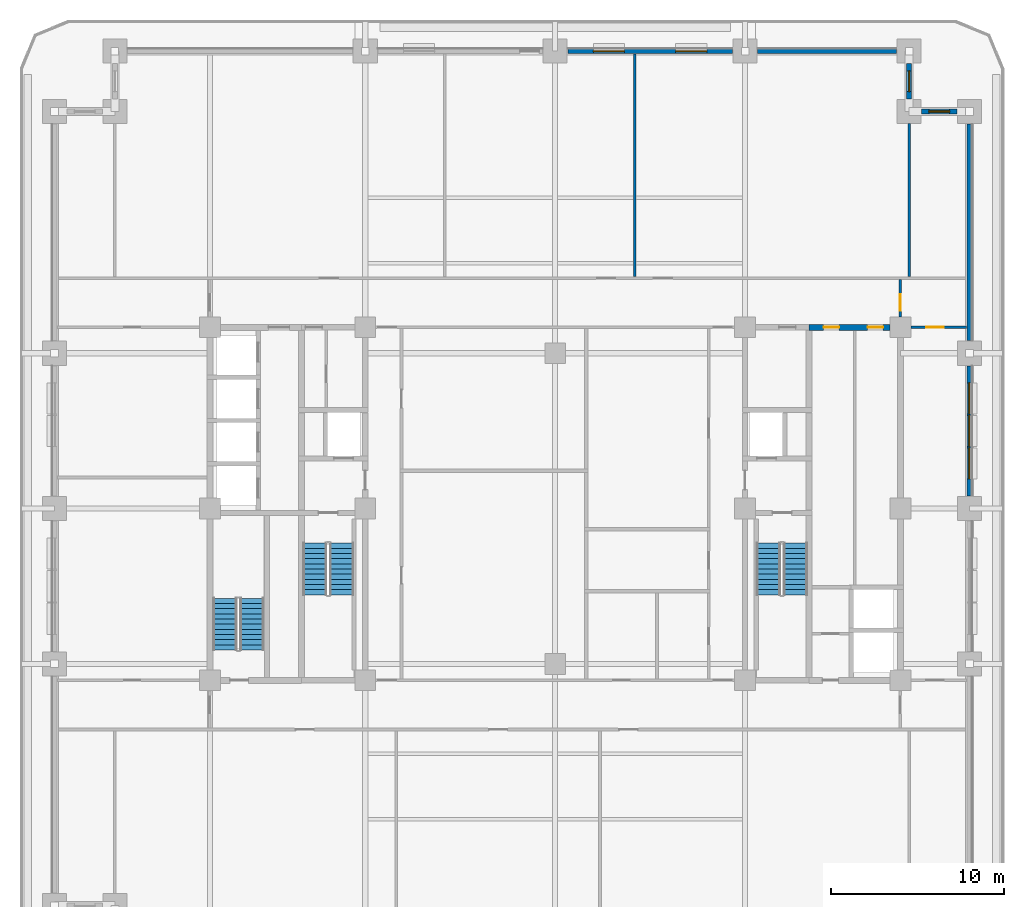
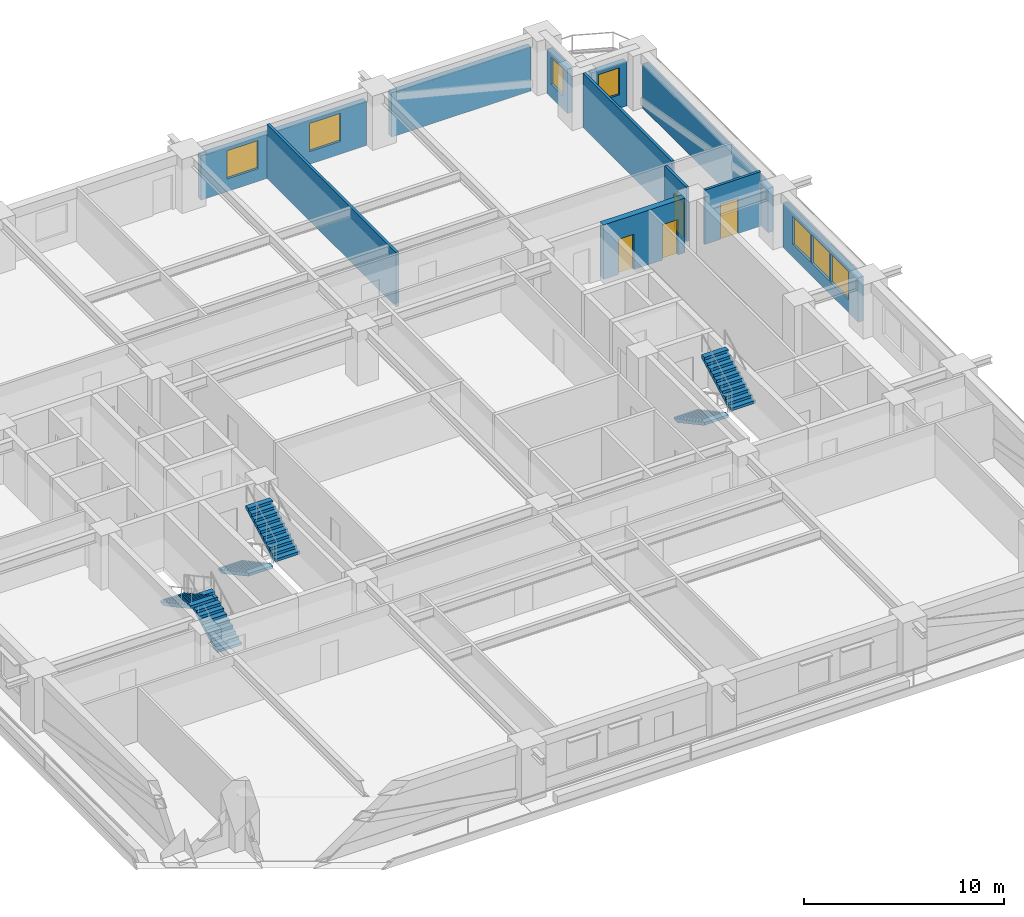
# One storey, part 6 of 14: 11 walls, 7 windows, 6 stair flights, 4 doors, 11 openings, 3 elements without a shape of their own.
"""IFC4 building model written with IfcOpenShell, lengths in metres."""

from ifc_helpers import new_model, si_unit, direction, frame, frame_2d, origin, place, context, subcontext, project, spatial, polyline, rectangle, outline, extrude, material, layer, layer_set, type_object, element, fill, aggregate, save


model = new_model("IFC4")

# Units and contexts
model_context = context("Model", 3, precision=1e-05, world=origin(), true_north=direction((0.0, 1.0)))
body_context = subcontext(model_context, "Body", "Model", "MODEL_VIEW")
ifc_project = project(units=[si_unit("LENGTHUNIT", "METRE"), si_unit("AREAUNIT", "SQUARE_METRE"), si_unit("VOLUMEUNIT", "CUBIC_METRE"), si_unit("PLANEANGLEUNIT", "RADIAN"), si_unit("MASSUNIT", "GRAM", prefix="KILO")], contexts=[model_context])

# Site, building, storey
site_placement = place(None, origin())
site = spatial("IfcSite", under=ifc_project, at=site_placement, CompositionType="ELEMENT")
building_placement = place(site_placement, origin())
building = spatial("IfcBuilding", under=site, at=building_placement, Name="Zulmaris Gate Convention Tower", CompositionType="ELEMENT")
storey_placement = place(building_placement, frame((0.0, 0.0, 64.329833984375)))
storey = spatial("IfcBuildingStorey", under=building, at=storey_placement, Name="L15", CompositionType="ELEMENT", Elevation=64.329833984375)

# Wall, openings, doors
ifc_material_1 = material(Name="Concrete C55/67", Category="concrete")
ifc_layer_1 = layer(ifc_material_1, 0.35009765625, Name="Concrete C55/67")
ifc_layer_set_1 = layer_set([ifc_layer_1], Name="Concrete C55/67")
wall_type_1 = type_object("IfcWallType", Name="CORE-350", PredefinedType="SHEAR", material=ifc_layer_set_1)
wall_1_placement = place(storey_placement, frame((14.699951171875, 10.5, 0.0), z_axis=(0.0, 0.0, 1.0), x_axis=(1.0, 0.0, 0.0)))
wall_1 = element("IfcWall", 1, at=wall_1_placement, inside=storey, type_object=wall_type_1, Name="WL-L15-019", PredefinedType="SHEAR", context=body_context, shape_type="SweptSolid", body=[
    extrude(rectangle(XDim=4.696044921875, YDim=0.35009765625, at=frame_2d((2.34814453125, 0.0))), origin(), (0.0, 0.0, 1.0), 3.320068359375),
])
opening_1_placement = place(wall_1_placement, frame((0.85009765625, 0.0, 0.0)))
opening_1 = element("IfcOpeningElement", 2, at=opening_1_placement, cuts=wall_1, Name="Opening D-12", PredefinedType="OPENING", context=body_context, shape_type="SweptSolid", body=[
    extrude(rectangle(XDim=0.89990234375, YDim=2.14990234375, at=frame_2d((0.449951171875, 1.074951171875))), frame((0.0, 0.18505859375, 0.0), z_axis=(0.0, -1.0, 0.0), x_axis=(1.0, 0.0, 0.0)), (0.0, 0.0, 1.0), 0.3701171875),
])
opening_2_placement = place(wall_1_placement, frame((3.39990234375, 0.0, 0.0)))
opening_2 = element("IfcOpeningElement", 3, at=opening_2_placement, cuts=wall_1, Name="Opening D-12", PredefinedType="OPENING", context=body_context, shape_type="SweptSolid", body=[
    extrude(rectangle(XDim=0.89990234375, YDim=2.14990234375, at=frame_2d((0.449951171875, 1.074951171875))), frame((0.0, 0.18505859375, 0.0), z_axis=(0.0, -1.0, 0.0), x_axis=(1.0, 0.0, 0.0)), (0.0, 0.0, 1.0), 0.3701171875),
])
ifc_material_2 = material(Name="Fire-Rated Timber", Category="wood")
door_type_1 = type_object("IfcDoorType", Name="DR-900-FD", OperationType="NOTDEFINED", PredefinedType="DOOR", material=ifc_material_2)
door_1_placement = place(opening_1_placement, origin())
door_1 = element("IfcDoor", 4, at=door_1_placement, inside=storey, type_object=door_type_1, Name="L15 East IT Room Door 18", OperationType="SINGLE_SWING_RIGHT", OverallHeight=2.14990234375, OverallWidth=0.89990234375, PredefinedType="DOOR", context=body_context, shape_type="SweptSolid", body=[
    extrude(rectangle(XDim=0.89990234375, YDim=2.14990234375, at=frame_2d((0.449951171875, 1.074951171875))), frame((0.0, 0.02490234375, 0.0), z_axis=(0.0, -1.0, 0.0), x_axis=(1.0, 0.0, 0.0)), (0.0, 0.0, 1.0), 0.050048828125),
])
fill(opening_1, door_1)
door_2_placement = place(opening_2_placement, origin())
door_2 = element("IfcDoor", 5, at=door_2_placement, inside=storey, type_object=door_type_1, Name="L15 East Linen Store Door 19", OperationType="SINGLE_SWING_LEFT", OverallHeight=2.14990234375, OverallWidth=0.89990234375, PredefinedType="DOOR", context=body_context, shape_type="SweptSolid", body=[
    extrude(rectangle(XDim=0.89990234375, YDim=2.14990234375, at=frame_2d((0.449951171875, 1.074951171875))), frame((0.0, 0.02490234375, 0.0), z_axis=(0.0, -1.0, 0.0), x_axis=(1.0, 0.0, 0.0)), (0.0, 0.0, 1.0), 0.050048828125),
])
fill(opening_2, door_2)

# Wall, opening, door
ifc_material_3 = material(Name="Gypsum Metal Stud Partition")
ifc_layer_2 = layer(ifc_material_3, 0.14990234375, Name="Gypsum Metal Stud Partition")
ifc_layer_set_2 = layer_set([ifc_layer_2], Name="Gypsum Metal Stud Partition")
wall_type_2 = type_object("IfcWallType", Name="PART-150", PredefinedType="PARTITIONING", material=ifc_layer_set_2)
wall_2_placement = place(storey_placement, frame((20.60595703125, 10.5, 0.0), z_axis=(0.0, 0.0, 1.0), x_axis=(1.0, 0.0, 0.0)))
wall_2 = element("IfcWall", 6, at=wall_2_placement, inside=storey, type_object=wall_type_2, Name="WL-L15-032", PredefinedType="PARTITIONING", context=body_context, shape_type="SweptSolid", body=[
    extrude(rectangle(XDim=3.22900390625, YDim=0.14990234375, at=frame_2d((1.614501953125, 0.0))), origin(), (0.0, 0.0, 1.0), 3.320068359375),
])
opening_3_placement = place(wall_2_placement, frame((0.89404296875, 0.0, 0.0)))
opening_3 = element("IfcOpeningElement", 7, at=opening_3_placement, cuts=wall_2, Name="Opening D-10", PredefinedType="OPENING", context=body_context, shape_type="SweptSolid", body=[
    extrude(rectangle(XDim=1.0, YDim=2.14990234375, at=frame_2d((0.5, 1.074951171875))), frame((0.0, 0.0849609375, 0.0), z_axis=(0.0, -1.0, 0.0), x_axis=(1.0, 0.0, 0.0)), (0.0, 0.0, 1.0), 0.169921875),
])
door_type_2 = type_object("IfcDoorType", Name="DR-1000-FD", OperationType="NOTDEFINED", PredefinedType="DOOR", material=ifc_material_2)
door_3_placement = place(opening_3_placement, origin())
door_3 = element("IfcDoor", 8, at=door_3_placement, inside=storey, type_object=door_type_2, Name="L15 East Workplace North Door 42", OperationType="SINGLE_SWING_RIGHT", OverallHeight=2.14990234375, OverallWidth=1.0, PredefinedType="DOOR", context=body_context, shape_type="SweptSolid", body=[
    extrude(rectangle(XDim=1.0, YDim=2.14990234375, at=frame_2d((0.5, 1.074951171875))), frame((0.0, 0.02490234375, 0.0), z_axis=(0.0, -1.0, 0.0), x_axis=(1.0, 0.0, 0.0)), (0.0, 0.0, 1.0), 0.050048828125),
])
fill(opening_3, door_3)

# Wall
wall_3_placement = place(storey_placement, frame((4.60009765625, 13.427978515625, 0.0), z_axis=(0.0, 0.0, 1.0), x_axis=(0.0, 1.0, 0.0)))
element("IfcWall", 9, at=wall_3_placement, inside=storey, type_object=wall_type_2, Name="WL-L15-083", PredefinedType="PARTITIONING", context=body_context, shape_type="SweptSolid", body=[
    extrude(rectangle(XDim=12.906982421875, YDim=0.14990234375, at=frame_2d((6.45361328125, 0.0))), origin(), (0.0, 0.0, 1.0), 3.320068359375),
])

# Wall, opening, door
wall_4_placement = place(storey_placement, frame((20.0, 11.10595703125, 0.0), z_axis=(0.0, 0.0, 1.0), x_axis=(0.0, 1.0, 0.0)))
wall_4 = element("IfcWall", 10, at=wall_4_placement, inside=storey, type_object=wall_type_2, Name="WL-L15-090", PredefinedType="PARTITIONING", context=body_context, shape_type="SweptSolid", body=[
    extrude(rectangle(XDim=2.166015625, YDim=0.14990234375, at=frame_2d((1.0830078125, 0.0))), origin(), (0.0, 0.0, 1.0), 3.320068359375),
])
opening_4_placement = place(wall_4_placement, frame((0.34912109375, 0.0, 0.0)))
opening_4 = element("IfcOpeningElement", 11, at=opening_4_placement, cuts=wall_4, Name="Opening D-11", PredefinedType="OPENING", context=body_context, shape_type="SweptSolid", body=[
    extrude(rectangle(XDim=0.949951171875, YDim=2.14990234375, at=frame_2d((0.47509765625, 1.074951171875))), frame((0.0, 0.0849609375, 0.0), z_axis=(0.0, -1.0, 0.0), x_axis=(1.0, 0.0, 0.0)), (0.0, 0.0, 1.0), 0.169921875),
])
door_type_3 = type_object("IfcDoorType", Name="DR-950-FD", OperationType="NOTDEFINED", PredefinedType="DOOR", material=ifc_material_2)
door_4_placement = place(opening_4_placement, origin())
door_4 = element("IfcDoor", 12, at=door_4_placement, inside=storey, type_object=door_type_3, Name="L15 NE Spur Door 40", OperationType="SINGLE_SWING_RIGHT", OverallHeight=2.14990234375, OverallWidth=0.949951171875, PredefinedType="DOOR", context=body_context, shape_type="SweptSolid", body=[
    extrude(rectangle(XDim=0.949951171875, YDim=2.14990234375, at=frame_2d((0.47509765625, 1.074951171875))), frame((0.0, 0.02490234375, 0.0), z_axis=(0.0, -1.0, 0.0), x_axis=(1.0, 0.0, 0.0)), (0.0, 0.0, 1.0), 0.050048828125),
])
fill(opening_4, door_4)

# Wall
wall_5_placement = place(storey_placement, frame((20.5, 13.427978515625, 0.0), z_axis=(0.0, 0.0, 1.0), x_axis=(0.0, 1.0, 0.0)))
element("IfcWall", 13, at=wall_5_placement, inside=storey, type_object=wall_type_2, Name="WL-L15-092", PredefinedType="PARTITIONING", context=body_context, shape_type="SweptSolid", body=[
    extrude(rectangle(XDim=8.865966796875, YDim=0.14990234375, at=frame_2d((4.43310546875, 0.0))), origin(), (0.0, 0.0, 1.0), 3.320068359375),
])

# Wall, opening, window
ifc_material_4 = material(Name="Precast concrete C40/50", Category="concrete")
ifc_layer_3 = layer(ifc_material_4, 0.300048828125, Name="Precast concrete C40/50")
ifc_layer_set_3 = layer_set([ifc_layer_3], Name="Precast concrete C40/50")
wall_type_3 = type_object("IfcWallType", Name="PRECAST-PIER-300", PredefinedType="STANDARD", material=ifc_layer_set_3)
wall_6_placement = place(storey_placement, frame((23.27001953125, 23.0, 0.0), z_axis=(0.0, 0.0, 1.0), x_axis=(-1.0, 0.0, 0.0)))
wall_6 = element("IfcWall", 14, at=wall_6_placement, inside=storey, type_object=wall_type_3, Name="EW-L15-NOTCH-NE1_0", PredefinedType="STANDARD", context=body_context, shape_type="SweptSolid", body=[
    extrude(rectangle(XDim=2.0400390625, YDim=0.300048828125, at=frame_2d((1.02001953125, 0.0))), origin(), (0.0, 0.0, 1.0), 2.712158203125),
])
opening_5_placement = place(wall_6_placement, frame((0.419921875, 0.0, 0.820068359375)))
opening_5 = element("IfcOpeningElement", 15, at=opening_5_placement, cuts=wall_6, Name="Opening W-04", PredefinedType="OPENING", context=body_context, shape_type="SweptSolid", body=[
    extrude(rectangle(XDim=1.199951171875, YDim=1.64990234375, at=frame_2d((0.60009765625, 0.824951171875))), frame((0.0, 0.16015625, 0.0), z_axis=(0.0, -1.0, 0.0), x_axis=(1.0, 0.0, 0.0)), (0.0, 0.0, 1.0), 0.320068359375),
])
ifc_material_5 = material(Name="Low-E Laminated Double Glazing in Aluminium Frame", Category="aluminium")
window_type_1 = type_object("IfcWindowType", Name="WIN-1200x2100", PartitioningType="SINGLE_PANEL", PredefinedType="WINDOW", material=ifc_material_5)
window_1_placement = place(opening_5_placement, origin())
window_1 = element("IfcWindow", 16, at=window_1_placement, inside=storey, type_object=window_type_1, Name="WN-EW-L15-NOTCH-NE1_0", OverallHeight=1.64990234375, OverallWidth=1.199951171875, PartitioningType="SINGLE_PANEL", PredefinedType="WINDOW", context=body_context, shape_type="SweptSolid", body=[
    extrude(rectangle(XDim=1.199951171875, YDim=1.64990234375, at=frame_2d((0.60009765625, 0.824951171875))), frame((0.0, 0.030029296875, 0.0), z_axis=(0.0, -1.0, 0.0), x_axis=(1.0, 0.0, 0.0)), (0.0, 0.0, 1.0), 0.06005859375),
])
fill(opening_5, window_1)

wall_7_placement = place(storey_placement, frame((20.5, 23.72998046875, 0.0), z_axis=(0.0, 0.0, 1.0), x_axis=(0.0, 1.0, 0.0)))
wall_7 = element("IfcWall", 17, at=wall_7_placement, inside=storey, type_object=wall_type_3, Name="EW-L15-NOTCH-NE2_0", PredefinedType="STANDARD", context=body_context, shape_type="SweptSolid", body=[
    extrude(rectangle(XDim=2.0400390625, YDim=0.300048828125, at=frame_2d((1.02001953125, 0.0))), origin(), (0.0, 0.0, 1.0), 2.712158203125),
])
opening_6_placement = place(wall_7_placement, frame((0.419921875, 0.0, 0.820068359375)))
opening_6 = element("IfcOpeningElement", 18, at=opening_6_placement, cuts=wall_7, Name="Opening W-04", PredefinedType="OPENING", context=body_context, shape_type="SweptSolid", body=[
    extrude(rectangle(XDim=1.199951171875, YDim=1.64990234375, at=frame_2d((0.60009765625, 0.824951171875))), frame((0.0, 0.16015625, 0.0), z_axis=(0.0, -1.0, 0.0), x_axis=(1.0, 0.0, 0.0)), (0.0, 0.0, 1.0), 0.320068359375),
])
window_2_placement = place(opening_6_placement, origin())
window_2 = element("IfcWindow", 19, at=window_2_placement, inside=storey, type_object=window_type_1, Name="WN-EW-L15-NOTCH-NE2_0", OverallHeight=1.64990234375, OverallWidth=1.199951171875, PartitioningType="SINGLE_PANEL", PredefinedType="WINDOW", context=body_context, shape_type="SweptSolid", body=[
    extrude(rectangle(XDim=1.199951171875, YDim=1.64990234375, at=frame_2d((0.60009765625, 0.824951171875))), frame((0.0, 0.030029296875, 0.0), z_axis=(0.0, -1.0, 0.0), x_axis=(1.0, 0.0, 0.0)), (0.0, 0.0, 1.0), 0.06005859375),
])
fill(opening_6, window_2)

# Wall, openings, windows
wall_8_placement = place(storey_placement, frame((10.27001953125, 26.5, 0.0), z_axis=(0.0, 0.0, 1.0), x_axis=(-1.0, 0.0, 0.0)))
wall_8 = element("IfcWall", 20, at=wall_8_placement, inside=storey, type_object=wall_type_3, Name="EW-L15-N-2_0", PredefinedType="STANDARD", context=body_context, shape_type="SweptSolid", body=[
    extrude(rectangle(XDim=9.5400390625, YDim=0.300048828125, at=frame_2d((4.77001953125, 0.0))), origin(), (0.0, 0.0, 1.0), 2.712158203125),
])
opening_7_placement = place(wall_8_placement, frame((1.485107421875, 0.0, 0.780029296875)))
opening_7 = element("IfcOpeningElement", 21, at=opening_7_placement, cuts=wall_8, Name="Opening W-02", PredefinedType="OPENING", context=body_context, shape_type="SweptSolid", body=[
    extrude(rectangle(XDim=1.800048828125, YDim=1.719970703125, at=frame_2d((0.89990234375, 0.85986328125))), frame((0.0, 0.16015625, 0.0), z_axis=(0.0, -1.0, 0.0), x_axis=(1.0, 0.0, 0.0)), (0.0, 0.0, 1.0), 0.320068359375),
])
opening_8_placement = place(wall_8_placement, frame((6.2548828125, 0.0, 0.780029296875)))
opening_8 = element("IfcOpeningElement", 22, at=opening_8_placement, cuts=wall_8, Name="Opening W-02", PredefinedType="OPENING", context=body_context, shape_type="SweptSolid", body=[
    extrude(rectangle(XDim=1.800048828125, YDim=1.719970703125, at=frame_2d((0.89990234375, 0.85986328125))), frame((0.0, 0.16015625, 0.0), z_axis=(0.0, -1.0, 0.0), x_axis=(1.0, 0.0, 0.0)), (0.0, 0.0, 1.0), 0.320068359375),
])
window_type_2 = type_object("IfcWindowType", Name="WIN-1800x2200", PartitioningType="SINGLE_PANEL", PredefinedType="WINDOW", material=ifc_material_5)
window_3_placement = place(opening_7_placement, origin())
window_3 = element("IfcWindow", 23, at=window_3_placement, inside=storey, type_object=window_type_2, Name="WN-EW-L15-N-2_0-1", OverallHeight=1.719970703125, OverallWidth=1.800048828125, PartitioningType="SINGLE_PANEL", PredefinedType="WINDOW", context=body_context, shape_type="SweptSolid", body=[
    extrude(rectangle(XDim=1.800048828125, YDim=1.719970703125, at=frame_2d((0.89990234375, 0.85986328125))), frame((0.0, 0.030029296875, 0.0), z_axis=(0.0, -1.0, 0.0), x_axis=(1.0, 0.0, 0.0)), (0.0, 0.0, 1.0), 0.06005859375),
])
fill(opening_7, window_3)
window_4_placement = place(opening_8_placement, origin())
window_4 = element("IfcWindow", 24, at=window_4_placement, inside=storey, type_object=window_type_2, Name="WN-EW-L15-N-2_0-3", OverallHeight=1.719970703125, OverallWidth=1.800048828125, PartitioningType="SINGLE_PANEL", PredefinedType="WINDOW", context=body_context, shape_type="SweptSolid", body=[
    extrude(rectangle(XDim=1.800048828125, YDim=1.719970703125, at=frame_2d((0.89990234375, 0.85986328125))), frame((0.0, 0.030029296875, 0.0), z_axis=(0.0, -1.0, 0.0), x_axis=(1.0, 0.0, 0.0)), (0.0, 0.0, 1.0), 0.06005859375),
])
fill(opening_8, window_4)

# Wall
wall_9_placement = place(storey_placement, frame((19.77001953125, 26.5, 0.0), z_axis=(0.0, 0.0, 1.0), x_axis=(-1.0, 0.0, 0.0)))
element("IfcWall", 25, at=wall_9_placement, inside=storey, type_object=wall_type_3, Name="EW-L15-N-3_0", PredefinedType="STANDARD", context=body_context, shape_type="SweptSolid", body=[
    extrude(rectangle(XDim=8.0400390625, YDim=0.300048828125, at=frame_2d((4.02001953125, 0.0))), origin(), (0.0, 0.0, 1.0), 2.712158203125),
])

# Wall, openings, windows
wall_10_placement = place(storey_placement, frame((24.0, 0.72998046875, 0.0), z_axis=(0.0, 0.0, 1.0), x_axis=(0.0, 1.0, 0.0)))
wall_10 = element("IfcWall", 26, at=wall_10_placement, inside=storey, type_object=wall_type_3, Name="EW-L15-E-2_0", PredefinedType="STANDARD", context=body_context, shape_type="SweptSolid", body=[
    extrude(rectangle(XDim=7.5400390625, YDim=0.300048828125, at=frame_2d((3.77001953125, 0.0))), origin(), (0.0, 0.0, 1.0), 2.712158203125),
])
opening_9_placement = place(wall_10_placement, frame((0.985107421875, 0.0, 0.780029296875)))
opening_9 = element("IfcOpeningElement", 27, at=opening_9_placement, cuts=wall_10, Name="Opening W-02", PredefinedType="OPENING", context=body_context, shape_type="SweptSolid", body=[
    extrude(rectangle(XDim=1.800048828125, YDim=1.719970703125, at=frame_2d((0.89990234375, 0.85986328125))), frame((0.0, 0.16015625, 0.0), z_axis=(0.0, -1.0, 0.0), x_axis=(1.0, 0.0, 0.0)), (0.0, 0.0, 1.0), 0.320068359375),
])
opening_10_placement = place(wall_10_placement, frame((2.8701171875, 0.0, 0.780029296875)))
opening_10 = element("IfcOpeningElement", 28, at=opening_10_placement, cuts=wall_10, Name="Opening W-02", PredefinedType="OPENING", context=body_context, shape_type="SweptSolid", body=[
    extrude(rectangle(XDim=1.800048828125, YDim=1.719970703125, at=frame_2d((0.89990234375, 0.85986328125))), frame((0.0, 0.16015625, 0.0), z_axis=(0.0, -1.0, 0.0), x_axis=(1.0, 0.0, 0.0)), (0.0, 0.0, 1.0), 0.320068359375),
])
opening_11_placement = place(wall_10_placement, frame((4.7548828125, 0.0, 0.780029296875)))
opening_11 = element("IfcOpeningElement", 29, at=opening_11_placement, cuts=wall_10, Name="Opening W-02", PredefinedType="OPENING", context=body_context, shape_type="SweptSolid", body=[
    extrude(rectangle(XDim=1.800048828125, YDim=1.719970703125, at=frame_2d((0.89990234375, 0.85986328125))), frame((0.0, 0.16015625, 0.0), z_axis=(0.0, -1.0, 0.0), x_axis=(1.0, 0.0, 0.0)), (0.0, 0.0, 1.0), 0.320068359375),
])
window_5_placement = place(opening_9_placement, origin())
window_5 = element("IfcWindow", 30, at=window_5_placement, inside=storey, type_object=window_type_2, Name="WN-EW-L15-E-2_0-1", OverallHeight=1.719970703125, OverallWidth=1.800048828125, PartitioningType="SINGLE_PANEL", PredefinedType="WINDOW", context=body_context, shape_type="SweptSolid", body=[
    extrude(rectangle(XDim=1.800048828125, YDim=1.719970703125, at=frame_2d((0.89990234375, 0.85986328125))), frame((0.0, 0.030029296875, 0.0), z_axis=(0.0, -1.0, 0.0), x_axis=(1.0, 0.0, 0.0)), (0.0, 0.0, 1.0), 0.06005859375),
])
fill(opening_9, window_5)
window_6_placement = place(opening_10_placement, origin())
window_6 = element("IfcWindow", 31, at=window_6_placement, inside=storey, type_object=window_type_2, Name="WN-EW-L15-E-2_0-2", OverallHeight=1.719970703125, OverallWidth=1.800048828125, PartitioningType="SINGLE_PANEL", PredefinedType="WINDOW", context=body_context, shape_type="SweptSolid", body=[
    extrude(rectangle(XDim=1.800048828125, YDim=1.719970703125, at=frame_2d((0.89990234375, 0.85986328125))), frame((0.0, 0.030029296875, 0.0), z_axis=(0.0, -1.0, 0.0), x_axis=(1.0, 0.0, 0.0)), (0.0, 0.0, 1.0), 0.06005859375),
])
fill(opening_10, window_6)
window_7_placement = place(opening_11_placement, origin())
window_7 = element("IfcWindow", 32, at=window_7_placement, inside=storey, type_object=window_type_2, Name="WN-EW-L15-E-2_0-3", OverallHeight=1.719970703125, OverallWidth=1.800048828125, PartitioningType="SINGLE_PANEL", PredefinedType="WINDOW", context=body_context, shape_type="SweptSolid", body=[
    extrude(rectangle(XDim=1.800048828125, YDim=1.719970703125, at=frame_2d((0.89990234375, 0.85986328125))), frame((0.0, 0.030029296875, 0.0), z_axis=(0.0, -1.0, 0.0), x_axis=(1.0, 0.0, 0.0)), (0.0, 0.0, 1.0), 0.06005859375),
])
fill(opening_11, window_7)

# Wall
wall_11_placement = place(storey_placement, frame((24.0, 9.72998046875, 0.0), z_axis=(0.0, 0.0, 1.0), x_axis=(0.0, 1.0, 0.0)))
element("IfcWall", 33, at=wall_11_placement, inside=storey, type_object=wall_type_3, Name="EW-L15-E-3_0", PredefinedType="STANDARD", context=body_context, shape_type="SweptSolid", body=[
    extrude(rectangle(XDim=12.5400390625, YDim=0.300048828125, at=frame_2d((6.27001953125, 0.0))), origin(), (0.0, 0.0, 1.0), 2.712158203125),
])

# Stair, stair flights
ifc_material_6 = material(Name="Concrete C45/55", Category="concrete")
stair_type = type_object("IfcStairType", Name="ST-CORE-DOGLEG", PredefinedType="HALF_TURN_STAIR", material=ifc_material_6)
stair_1_placement = place(storey_placement, origin())
stair_1 = element("IfcStair", 34, at=stair_1_placement, inside=storey, type_object=stair_type, Name="L15 Core Exit Stair ST-1", PredefinedType="HALF_TURN_STAIR")
ifc_layer_4 = layer(ifc_material_6, 0.14990234375, Name="Concrete C45/55")
ifc_layer_set_4 = layer_set([ifc_layer_4], Name="Concrete C45/55")
stair_flight_type = type_object("IfcStairFlightType", Name="STF-RC150", PredefinedType="STRAIGHT", material=ifc_layer_set_4)
stair_flight_1_placement = place(storey_placement, frame((-13.919921875, -2.0, 0.0), z_axis=(0.0, 0.0, 1.0), x_axis=(0.0, -1.0, 0.0)))
stair_flight_1 = element("IfcStairFlight", 35, at=stair_flight_1_placement, type_object=stair_flight_type, Name="ST-1 flight 1", NumberOfRisers=11, NumberOfTreads=10, PredefinedType="STRAIGHT", RiserHeight=0.162277273, TreadLength=0.3, context=body_context, shape_type="SweptSolid", body=[
    extrude(outline(polyline([(0.0, 0.0), (0.0, 0.162353515625), (0.300048828125, 0.162353515625), (0.300048828125, 0.324462890625), (0.60009765625, 0.324462890625), (0.60009765625, 0.48681640625), (0.89990234375, 0.48681640625), (0.89990234375, 0.649169921875), (1.199951171875, 0.649169921875), (1.199951171875, 0.811279296875), (1.5, 0.811279296875), (1.5, 0.9736328125), (1.800048828125, 0.9736328125), (1.800048828125, 1.135986328125), (2.10009765625, 1.135986328125), (2.10009765625, 1.29833984375), (2.39990234375, 1.29833984375), (2.39990234375, 1.46044921875), (2.699951171875, 1.46044921875), (2.699951171875, 1.622802734375), (3.0, 1.622802734375), (3.0, 1.78515625), (3.0, 1.452392578125), (0.315185546875, 0.0), (0.0, 0.0)])), frame((0.0, 0.699951171875, 0.0), z_axis=(0.0, -1.0, 0.0), x_axis=(1.0, 0.0, 0.0)), (0.0, 0.0, 1.0), 1.39990234375),
])
stair_flight_2_placement = place(storey_placement, frame((-12.360107421875, -5.0, 1.784912109375), z_axis=(0.0, 0.0, 1.0), x_axis=(0.0, 1.0, 0.0)))
stair_flight_2 = element("IfcStairFlight", 36, at=stair_flight_2_placement, type_object=stair_flight_type, Name="ST-1 flight 2", NumberOfRisers=11, NumberOfTreads=10, PredefinedType="STRAIGHT", RiserHeight=0.162277273, TreadLength=0.3, context=body_context, shape_type="SweptSolid", body=[
    extrude(outline(polyline([(0.0, 0.0), (0.0, 0.162353515625), (0.300048828125, 0.162353515625), (0.300048828125, 0.324462890625), (0.60009765625, 0.324462890625), (0.60009765625, 0.48681640625), (0.89990234375, 0.48681640625), (0.89990234375, 0.649169921875), (1.199951171875, 0.649169921875), (1.199951171875, 0.811279296875), (1.5, 0.811279296875), (1.5, 0.9736328125), (1.800048828125, 0.9736328125), (1.800048828125, 1.135986328125), (2.10009765625, 1.135986328125), (2.10009765625, 1.29833984375), (2.39990234375, 1.29833984375), (2.39990234375, 1.46044921875), (2.699951171875, 1.46044921875), (2.699951171875, 1.622802734375), (3.0, 1.622802734375), (3.0, 1.78515625), (3.0, 1.452392578125), (0.315185546875, 0.0), (0.0, 0.0)])), frame((0.0, 0.699951171875, 0.0), z_axis=(0.0, -1.0, 0.0), x_axis=(1.0, 0.0, 0.0)), (0.0, 0.0, 1.0), 1.39990234375),
])
aggregate(stair_1, [stair_flight_1, stair_flight_2])

stair_2_placement = place(storey_placement, origin())
stair_2 = element("IfcStair", 37, at=stair_2_placement, inside=storey, type_object=stair_type, Name="L15 Core Exit Stair ST-2", PredefinedType="HALF_TURN_STAIR")
stair_flight_3_placement = place(storey_placement, frame((12.360107421875, -2.0, 0.0), z_axis=(0.0, 0.0, 1.0), x_axis=(0.0, -1.0, 0.0)))
stair_flight_3 = element("IfcStairFlight", 38, at=stair_flight_3_placement, type_object=stair_flight_type, Name="ST-2 flight 1", NumberOfRisers=11, NumberOfTreads=10, PredefinedType="STRAIGHT", RiserHeight=0.162277273, TreadLength=0.3, context=body_context, shape_type="SweptSolid", body=[
    extrude(outline(polyline([(0.0, 0.0), (0.0, 0.162353515625), (0.300048828125, 0.162353515625), (0.300048828125, 0.324462890625), (0.60009765625, 0.324462890625), (0.60009765625, 0.48681640625), (0.89990234375, 0.48681640625), (0.89990234375, 0.649169921875), (1.199951171875, 0.649169921875), (1.199951171875, 0.811279296875), (1.5, 0.811279296875), (1.5, 0.9736328125), (1.800048828125, 0.9736328125), (1.800048828125, 1.135986328125), (2.10009765625, 1.135986328125), (2.10009765625, 1.29833984375), (2.39990234375, 1.29833984375), (2.39990234375, 1.46044921875), (2.699951171875, 1.46044921875), (2.699951171875, 1.622802734375), (3.0, 1.622802734375), (3.0, 1.78515625), (3.0, 1.452392578125), (0.315185546875, 0.0), (0.0, 0.0)])), frame((0.0, 0.699951171875, 0.0), z_axis=(0.0, -1.0, 0.0), x_axis=(1.0, 0.0, 0.0)), (0.0, 0.0, 1.0), 1.39990234375),
])
stair_flight_4_placement = place(storey_placement, frame((13.919921875, -5.0, 1.784912109375), z_axis=(0.0, 0.0, 1.0), x_axis=(0.0, 1.0, 0.0)))
stair_flight_4 = element("IfcStairFlight", 39, at=stair_flight_4_placement, type_object=stair_flight_type, Name="ST-2 flight 2", NumberOfRisers=11, NumberOfTreads=10, PredefinedType="STRAIGHT", RiserHeight=0.162277273, TreadLength=0.3, context=body_context, shape_type="SweptSolid", body=[
    extrude(outline(polyline([(0.0, 0.0), (0.0, 0.162353515625), (0.300048828125, 0.162353515625), (0.300048828125, 0.324462890625), (0.60009765625, 0.324462890625), (0.60009765625, 0.48681640625), (0.89990234375, 0.48681640625), (0.89990234375, 0.649169921875), (1.199951171875, 0.649169921875), (1.199951171875, 0.811279296875), (1.5, 0.811279296875), (1.5, 0.9736328125), (1.800048828125, 0.9736328125), (1.800048828125, 1.135986328125), (2.10009765625, 1.135986328125), (2.10009765625, 1.29833984375), (2.39990234375, 1.29833984375), (2.39990234375, 1.46044921875), (2.699951171875, 1.46044921875), (2.699951171875, 1.622802734375), (3.0, 1.622802734375), (3.0, 1.78515625), (3.0, 1.452392578125), (0.315185546875, 0.0), (0.0, 0.0)])), frame((0.0, 0.699951171875, 0.0), z_axis=(0.0, -1.0, 0.0), x_axis=(1.0, 0.0, 0.0)), (0.0, 0.0, 1.0), 1.39990234375),
])
aggregate(stair_2, [stair_flight_3, stair_flight_4])

stair_3_placement = place(storey_placement, origin())
stair_3 = element("IfcStair", 40, at=stair_3_placement, inside=storey, type_object=stair_type, Name="L15 Core Exit Stair ST-3", PredefinedType="HALF_TURN_STAIR")
stair_flight_5_placement = place(storey_placement, frame((-17.56005859375, -8.199951171875, 0.0), z_axis=(0.0, 0.0, 1.0), x_axis=(0.0, 1.0, 0.0)))
stair_flight_5 = element("IfcStairFlight", 41, at=stair_flight_5_placement, type_object=stair_flight_type, Name="ST-3 flight 1", NumberOfRisers=11, NumberOfTreads=10, PredefinedType="STRAIGHT", RiserHeight=0.162277273, TreadLength=0.3, context=body_context, shape_type="SweptSolid", body=[
    extrude(outline(polyline([(0.0, 0.0), (0.0, 0.162353515625), (0.300048828125, 0.162353515625), (0.300048828125, 0.324462890625), (0.60009765625, 0.324462890625), (0.60009765625, 0.48681640625), (0.89990234375, 0.48681640625), (0.89990234375, 0.649169921875), (1.199951171875, 0.649169921875), (1.199951171875, 0.811279296875), (1.5, 0.811279296875), (1.5, 0.9736328125), (1.800048828125, 0.9736328125), (1.800048828125, 1.135986328125), (2.10009765625, 1.135986328125), (2.10009765625, 1.29833984375), (2.39990234375, 1.29833984375), (2.39990234375, 1.46044921875), (2.699951171875, 1.46044921875), (2.699951171875, 1.622802734375), (3.0, 1.622802734375), (3.0, 1.78515625), (3.0, 1.452392578125), (0.315185546875, 0.0), (0.0, 0.0)])), frame((0.0, 0.699951171875, 0.0), z_axis=(0.0, -1.0, 0.0), x_axis=(1.0, 0.0, 0.0)), (0.0, 0.0, 1.0), 1.39990234375),
])
stair_flight_6_placement = place(storey_placement, frame((-19.1201171875, -5.199951171875, 1.784912109375), z_axis=(0.0, 0.0, 1.0), x_axis=(0.0, -1.0, 0.0)))
stair_flight_6 = element("IfcStairFlight", 42, at=stair_flight_6_placement, type_object=stair_flight_type, Name="ST-3 flight 2", NumberOfRisers=11, NumberOfTreads=10, PredefinedType="STRAIGHT", RiserHeight=0.162277273, TreadLength=0.3, context=body_context, shape_type="SweptSolid", body=[
    extrude(outline(polyline([(0.0, 0.0), (0.0, 0.162353515625), (0.300048828125, 0.162353515625), (0.300048828125, 0.324462890625), (0.60009765625, 0.324462890625), (0.60009765625, 0.48681640625), (0.89990234375, 0.48681640625), (0.89990234375, 0.649169921875), (1.199951171875, 0.649169921875), (1.199951171875, 0.811279296875), (1.5, 0.811279296875), (1.5, 0.9736328125), (1.800048828125, 0.9736328125), (1.800048828125, 1.135986328125), (2.10009765625, 1.135986328125), (2.10009765625, 1.29833984375), (2.39990234375, 1.29833984375), (2.39990234375, 1.46044921875), (2.699951171875, 1.46044921875), (2.699951171875, 1.622802734375), (3.0, 1.622802734375), (3.0, 1.78515625), (3.0, 1.452392578125), (0.315185546875, 0.0), (0.0, 0.0)])), frame((0.0, 0.699951171875, 0.0), z_axis=(0.0, -1.0, 0.0), x_axis=(1.0, 0.0, 0.0)), (0.0, 0.0, 1.0), 1.39990234375),
])
aggregate(stair_3, [stair_flight_5, stair_flight_6])

save(model, "model.ifc")
